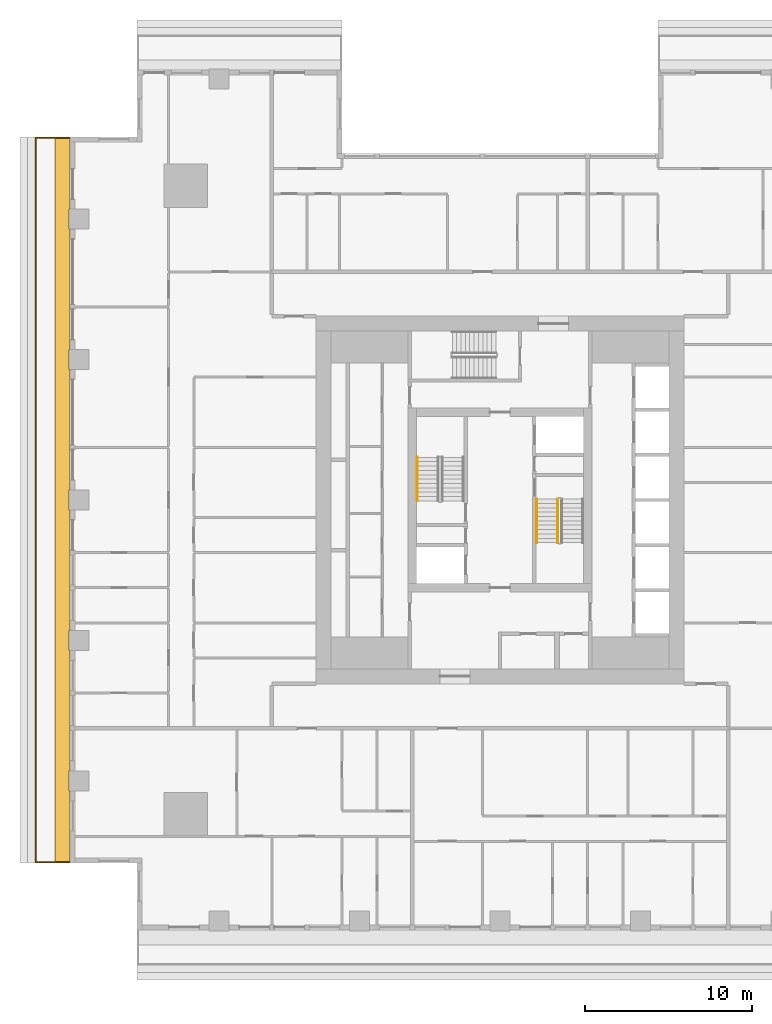
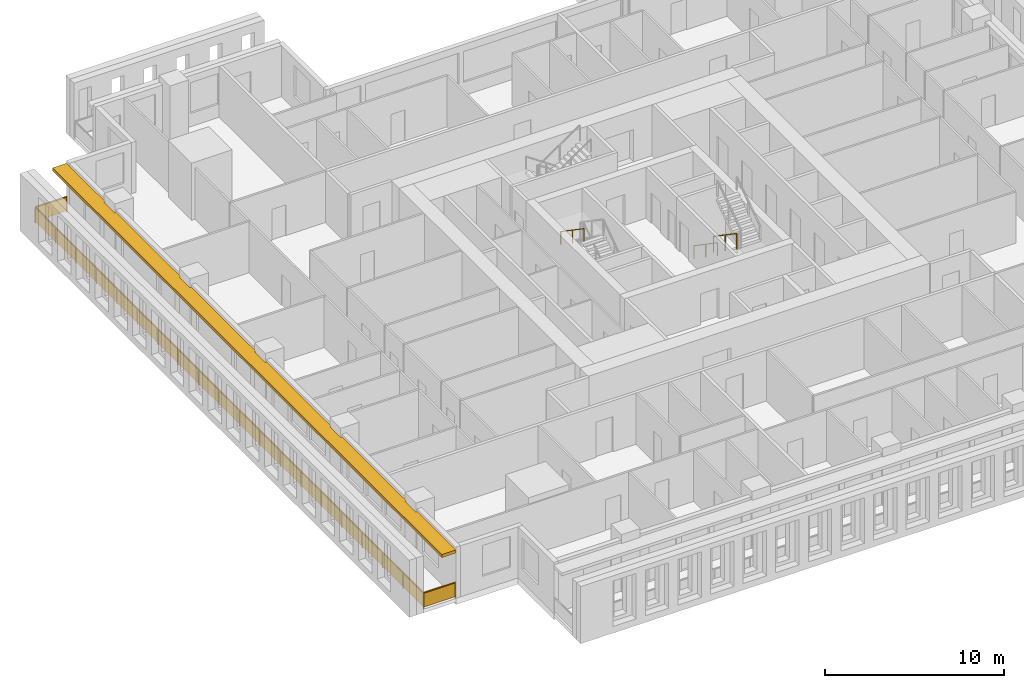
# One storey, part 11 of 15: 4 railings, 1 shading device.
"""IFC4 building model written with IfcOpenShell, lengths in metres."""

from ifc_helpers import new_model, si_unit, direction, frame, origin, origin_2d, place, context, subcontext, project, spatial, polyline, rectangle, outline, extrude, material, layer, layer_set, type_object, element, save


model = new_model("IFC4")

# Units and contexts
model_context = context("Model", 3, precision=1e-05, world=origin(), true_north=direction((0.0, 1.0)))
body_context = subcontext(model_context, "Body", "Model", "MODEL_VIEW")
ifc_project = project(units=[si_unit("LENGTHUNIT", "METRE"), si_unit("AREAUNIT", "SQUARE_METRE"), si_unit("VOLUMEUNIT", "CUBIC_METRE"), si_unit("PLANEANGLEUNIT", "RADIAN"), si_unit("MASSUNIT", "GRAM", prefix="KILO")], contexts=[model_context])

# Site, building, storey
site_placement = place(None, origin())
site = spatial("IfcSite", under=ifc_project, at=site_placement, CompositionType="ELEMENT")
building_placement = place(site_placement, origin())
building = spatial("IfcBuilding", under=site, at=building_placement, Name="Khepri Terraces", CompositionType="ELEMENT")
storey_placement = place(building_placement, frame((0.0, 0.0, 161.10009765625)))
storey = spatial("IfcBuildingStorey", under=building, at=storey_placement, Name="L38", CompositionType="ELEMENT", Elevation=161.10009765625)

# Railings
ifc_material_1 = material(Name="Stainless steel grade 316", Category="steel")
railing_type_1 = type_object("IfcRailingType", Name="GRD-BAL-1100", PredefinedType="GUARDRAIL", material=ifc_material_1)
railing_1_placement = place(storey_placement, frame((-25.719970703125, 21.669921875, 0.0)))
element("IfcRailing", 1, at=railing_1_placement, inside=storey, type_object=railing_type_1, Name="Balcony guard L38 W", PredefinedType="GUARDRAIL", context=body_context, shape_type="SweptSolid", body=[
    extrude(rectangle(XDim=0.050048828125, YDim=0.06005859375, at=origin_2d()), frame((0.0, 0.0, 1.070068359375), z_axis=(-1.0, 0.0, 0.0), x_axis=(0.0, -1.0, 0.0)), (0.0, 0.0, 1.0), 2.050048828125),
    extrude(rectangle(XDim=2.0, YDim=0.011962890625, at=origin_2d()), frame((-1.02490234375, 0.0, 0.10009765625), z_axis=(0.0, 0.0, 1.0), x_axis=(-1.0, 0.0, 0.0)), (0.0, 0.0, 1.0), 0.93994140625),
    extrude(rectangle(XDim=0.050048828125, YDim=0.06005859375, at=origin_2d()), frame((-2.050048828125, 0.0, 1.070068359375), z_axis=(0.0, -1.0, 0.0), x_axis=(1.0, 0.0, 0.0)), (0.0, 0.0, 1.0), 43.33984375),
    extrude(rectangle(XDim=2.23095703125, YDim=0.011962890625, at=origin_2d()), frame((-2.050048828125, -1.140625, 0.10009765625), z_axis=(0.0, 0.0, 1.0), x_axis=(0.0, -1.0, 0.0)), (0.0, 0.0, 1.0), 0.93994140625),
    extrude(rectangle(XDim=2.23095703125, YDim=0.011962890625, at=origin_2d()), frame((-2.050048828125, -3.421630859375, 0.10009765625), z_axis=(0.0, 0.0, 1.0), x_axis=(0.0, -1.0, 0.0)), (0.0, 0.0, 1.0), 0.93994140625),
    extrude(rectangle(XDim=2.23095703125, YDim=0.011962890625, at=origin_2d()), frame((-2.050048828125, -5.70263671875, 0.10009765625), z_axis=(0.0, 0.0, 1.0), x_axis=(0.0, -1.0, 0.0)), (0.0, 0.0, 1.0), 0.93994140625),
    extrude(rectangle(XDim=2.23095703125, YDim=0.011962890625, at=origin_2d()), frame((-2.050048828125, -7.983642578125, 0.10009765625), z_axis=(0.0, 0.0, 1.0), x_axis=(0.0, -1.0, 0.0)), (0.0, 0.0, 1.0), 0.93994140625),
    extrude(rectangle(XDim=2.23095703125, YDim=0.011962890625, at=origin_2d()), frame((-2.050048828125, -10.2646484375, 0.10009765625), z_axis=(0.0, 0.0, 1.0), x_axis=(0.0, -1.0, 0.0)), (0.0, 0.0, 1.0), 0.93994140625),
    extrude(rectangle(XDim=2.23095703125, YDim=0.011962890625, at=origin_2d()), frame((-2.050048828125, -12.545654296875, 0.10009765625), z_axis=(0.0, 0.0, 1.0), x_axis=(0.0, -1.0, 0.0)), (0.0, 0.0, 1.0), 0.93994140625),
    extrude(rectangle(XDim=2.23095703125, YDim=0.011962890625, at=origin_2d()), frame((-2.050048828125, -14.826904296875, 0.10009765625), z_axis=(0.0, 0.0, 1.0), x_axis=(0.0, -1.0, 0.0)), (0.0, 0.0, 1.0), 0.93994140625),
    extrude(rectangle(XDim=2.23095703125, YDim=0.011962890625, at=origin_2d()), frame((-2.050048828125, -17.10791015625, 0.10009765625), z_axis=(0.0, 0.0, 1.0), x_axis=(0.0, -1.0, 0.0)), (0.0, 0.0, 1.0), 0.93994140625),
    extrude(rectangle(XDim=2.23095703125, YDim=0.011962890625, at=origin_2d()), frame((-2.050048828125, -19.388916015625, 0.10009765625), z_axis=(0.0, 0.0, 1.0), x_axis=(0.0, -1.0, 0.0)), (0.0, 0.0, 1.0), 0.93994140625),
    extrude(rectangle(XDim=2.23095703125, YDim=0.011962890625, at=origin_2d()), frame((-2.050048828125, -21.669921875, 0.10009765625), z_axis=(0.0, 0.0, 1.0), x_axis=(0.0, -1.0, 0.0)), (0.0, 0.0, 1.0), 0.93994140625),
    extrude(rectangle(XDim=2.23095703125, YDim=0.011962890625, at=origin_2d()), frame((-2.050048828125, -23.950927734375, 0.10009765625), z_axis=(0.0, 0.0, 1.0), x_axis=(0.0, -1.0, 0.0)), (0.0, 0.0, 1.0), 0.93994140625),
    extrude(rectangle(XDim=2.23095703125, YDim=0.011962890625, at=origin_2d()), frame((-2.050048828125, -26.23193359375, 0.10009765625), z_axis=(0.0, 0.0, 1.0), x_axis=(0.0, -1.0, 0.0)), (0.0, 0.0, 1.0), 0.93994140625),
    extrude(rectangle(XDim=2.23095703125, YDim=0.011962890625, at=origin_2d()), frame((-2.050048828125, -28.512939453125, 0.10009765625), z_axis=(0.0, 0.0, 1.0), x_axis=(0.0, -1.0, 0.0)), (0.0, 0.0, 1.0), 0.93994140625),
    extrude(rectangle(XDim=2.23095703125, YDim=0.011962890625, at=origin_2d()), frame((-2.050048828125, -30.794189453125, 0.10009765625), z_axis=(0.0, 0.0, 1.0), x_axis=(0.0, -1.0, 0.0)), (0.0, 0.0, 1.0), 0.93994140625),
    extrude(rectangle(XDim=2.23095703125, YDim=0.011962890625, at=origin_2d()), frame((-2.050048828125, -33.0751953125, 0.10009765625), z_axis=(0.0, 0.0, 1.0), x_axis=(0.0, -1.0, 0.0)), (0.0, 0.0, 1.0), 0.93994140625),
    extrude(rectangle(XDim=2.23095703125, YDim=0.011962890625, at=origin_2d()), frame((-2.050048828125, -35.356201171875, 0.10009765625), z_axis=(0.0, 0.0, 1.0), x_axis=(0.0, -1.0, 0.0)), (0.0, 0.0, 1.0), 0.93994140625),
    extrude(rectangle(XDim=2.23095703125, YDim=0.011962890625, at=origin_2d()), frame((-2.050048828125, -37.63720703125, 0.10009765625), z_axis=(0.0, 0.0, 1.0), x_axis=(0.0, -1.0, 0.0)), (0.0, 0.0, 1.0), 0.93994140625),
    extrude(rectangle(XDim=2.23095703125, YDim=0.011962890625, at=origin_2d()), frame((-2.050048828125, -39.918212890625, 0.10009765625), z_axis=(0.0, 0.0, 1.0), x_axis=(0.0, -1.0, 0.0)), (0.0, 0.0, 1.0), 0.93994140625),
    extrude(rectangle(XDim=2.23095703125, YDim=0.011962890625, at=origin_2d()), frame((-2.050048828125, -42.19921875, 0.10009765625), z_axis=(0.0, 0.0, 1.0), x_axis=(0.0, -1.0, 0.0)), (0.0, 0.0, 1.0), 0.93994140625),
    extrude(rectangle(XDim=0.050048828125, YDim=0.06005859375, at=origin_2d()), frame((-2.050048828125, -43.33984375, 1.070068359375), z_axis=(1.0, 0.0, 0.0), x_axis=(0.0, 1.0, 0.0)), (0.0, 0.0, 1.0), 2.050048828125),
    extrude(rectangle(XDim=2.0, YDim=0.011962890625, at=origin_2d()), frame((-1.02490234375, -43.33984375, 0.10009765625), z_axis=(0.0, 0.0, 1.0), x_axis=(1.0, 0.0, 0.0)), (0.0, 0.0, 1.0), 0.93994140625),
    extrude(rectangle(XDim=0.050048828125, YDim=0.050048828125, at=origin_2d()), origin(), (0.0, 0.0, 1.0), 1.0400390625),
    extrude(rectangle(XDim=0.050048828125, YDim=0.050048828125, at=origin_2d()), frame((-2.050048828125, 0.0, 0.0)), (0.0, 0.0, 1.0), 1.0400390625),
    extrude(rectangle(XDim=0.050048828125, YDim=0.050048828125, at=origin_2d()), frame((-2.050048828125, -2.281005859375, 0.0)), (0.0, 0.0, 1.0), 1.0400390625),
    extrude(rectangle(XDim=0.050048828125, YDim=0.050048828125, at=origin_2d()), frame((-2.050048828125, -4.56201171875, 0.0)), (0.0, 0.0, 1.0), 1.0400390625),
    extrude(rectangle(XDim=0.050048828125, YDim=0.050048828125, at=origin_2d()), frame((-2.050048828125, -6.843017578125, 0.0)), (0.0, 0.0, 1.0), 1.0400390625),
    extrude(rectangle(XDim=0.050048828125, YDim=0.050048828125, at=origin_2d()), frame((-2.050048828125, -9.124267578125, 0.0)), (0.0, 0.0, 1.0), 1.0400390625),
    extrude(rectangle(XDim=0.050048828125, YDim=0.050048828125, at=origin_2d()), frame((-2.050048828125, -11.4052734375, 0.0)), (0.0, 0.0, 1.0), 1.0400390625),
    extrude(rectangle(XDim=0.050048828125, YDim=0.050048828125, at=origin_2d()), frame((-2.050048828125, -13.686279296875, 0.0)), (0.0, 0.0, 1.0), 1.0400390625),
    extrude(rectangle(XDim=0.050048828125, YDim=0.050048828125, at=origin_2d()), frame((-2.050048828125, -15.96728515625, 0.0)), (0.0, 0.0, 1.0), 1.0400390625),
    extrude(rectangle(XDim=0.050048828125, YDim=0.050048828125, at=origin_2d()), frame((-2.050048828125, -18.248291015625, 0.0)), (0.0, 0.0, 1.0), 1.0400390625),
    extrude(rectangle(XDim=0.050048828125, YDim=0.050048828125, at=origin_2d()), frame((-2.050048828125, -20.529296875, 0.0)), (0.0, 0.0, 1.0), 1.0400390625),
    extrude(rectangle(XDim=0.050048828125, YDim=0.050048828125, at=origin_2d()), frame((-2.050048828125, -22.810546875, 0.0)), (0.0, 0.0, 1.0), 1.0400390625),
    extrude(rectangle(XDim=0.050048828125, YDim=0.050048828125, at=origin_2d()), frame((-2.050048828125, -25.091552734375, 0.0)), (0.0, 0.0, 1.0), 1.0400390625),
    extrude(rectangle(XDim=0.050048828125, YDim=0.050048828125, at=origin_2d()), frame((-2.050048828125, -27.37255859375, 0.0)), (0.0, 0.0, 1.0), 1.0400390625),
    extrude(rectangle(XDim=0.050048828125, YDim=0.050048828125, at=origin_2d()), frame((-2.050048828125, -29.653564453125, 0.0)), (0.0, 0.0, 1.0), 1.0400390625),
    extrude(rectangle(XDim=0.050048828125, YDim=0.050048828125, at=origin_2d()), frame((-2.050048828125, -31.9345703125, 0.0)), (0.0, 0.0, 1.0), 1.0400390625),
    extrude(rectangle(XDim=0.050048828125, YDim=0.050048828125, at=origin_2d()), frame((-2.050048828125, -34.215576171875, 0.0)), (0.0, 0.0, 1.0), 1.0400390625),
    extrude(rectangle(XDim=0.050048828125, YDim=0.050048828125, at=origin_2d()), frame((-2.050048828125, -36.496826171875, 0.0)), (0.0, 0.0, 1.0), 1.0400390625),
    extrude(rectangle(XDim=0.050048828125, YDim=0.050048828125, at=origin_2d()), frame((-2.050048828125, -38.77783203125, 0.0)), (0.0, 0.0, 1.0), 1.0400390625),
    extrude(rectangle(XDim=0.050048828125, YDim=0.050048828125, at=origin_2d()), frame((-2.050048828125, -41.058837890625, 0.0)), (0.0, 0.0, 1.0), 1.0400390625),
    extrude(rectangle(XDim=0.050048828125, YDim=0.050048828125, at=origin_2d()), frame((-2.050048828125, -43.33984375, 0.0)), (0.0, 0.0, 1.0), 1.0400390625),
    extrude(rectangle(XDim=0.050048828125, YDim=0.050048828125, at=origin_2d()), frame((0.0, -43.33984375, 0.0)), (0.0, 0.0, 1.0), 1.0400390625),
])
ifc_material_2 = material(Name="Stainless steel 316", Category="steel")
railing_type_2 = type_object("IfcRailingType", Name="RL-CORE-GUARD", PredefinedType="GUARDRAIL", material=ifc_material_2)
railing_2_placement = place(storey_placement, frame((3.449951171875, 0.050048828125, 0.17724609375)))
element("IfcRailing", 2, at=railing_2_placement, inside=storey, type_object=railing_type_2, Name="L38 ST-2 stair guard 1", PredefinedType="GUARDRAIL", context=body_context, shape_type="SweptSolid", body=[
    extrude(rectangle(XDim=0.050048828125, YDim=0.06005859375, at=origin_2d()), frame((0.0, 0.0, 1.070068359375), z_axis=(0.0, -0.826240473404, 0.563317565952), x_axis=(1.0, 0.0, 0.0)), (0.0, 0.0, 1.0), 3.14697265625),
    extrude(rectangle(XDim=0.050048828125, YDim=0.050048828125, at=origin_2d()), origin(), (0.0, 0.0, 1.0), 1.0400390625),
    extrude(rectangle(XDim=0.050048828125, YDim=0.050048828125, at=origin_2d()), frame((0.0, -1.300048828125, 0.88623046875)), (0.0, 0.0, 1.0), 1.0400390625),
    extrude(rectangle(XDim=0.050048828125, YDim=0.050048828125, at=origin_2d()), frame((0.0, -2.60009765625, 1.772705078125)), (0.0, 0.0, 1.0), 1.0400390625),
])
railing_type_3 = type_object("IfcRailingType", Name="RL-CORE-HANDRAIL", PredefinedType="HANDRAIL", material=ifc_material_2)
for number, where, name in (
    (3, (-4.949951171875, 2.550048828125, 2.127197265625), "L38 ST-1 stair handrail 2"),
    (4, (2.199951171875, 0.050048828125, 0.17724609375), "L38 ST-2 stair handrail 1"),
):
    element("IfcRailing", number, at=place(storey_placement, frame(where)), inside=storey, type_object=railing_type_3, Name=name, PredefinedType="HANDRAIL", context=body_context, shape_type="SweptSolid", body=[
        extrude(rectangle(XDim=0.050048828125, YDim=0.050048828125, at=origin_2d()), frame((0.0, 0.0, 0.875), z_axis=(0.0, -0.826240473404, 0.563317565952), x_axis=(1.0, 0.0, 0.0)), (0.0, 0.0, 1.0), 3.14697265625),
        extrude(rectangle(XDim=0.050048828125, YDim=0.050048828125, at=origin_2d()), origin(), (0.0, 0.0, 1.0), 0.849853515625),
        extrude(rectangle(XDim=0.050048828125, YDim=0.050048828125, at=origin_2d()), frame((0.0, -1.300048828125, 0.88623046875)), (0.0, 0.0, 1.0), 0.849853515625),
        extrude(rectangle(XDim=0.050048828125, YDim=0.050048828125, at=origin_2d()), frame((0.0, -2.60009765625, 1.772705078125)), (0.0, 0.0, 1.0), 0.849853515625),
    ])

# Shading device
ifc_material_3 = material(Name="Precast concrete C50/60 warm stone", Category="masonry")
ifc_layer = layer(ifc_material_3, 0.199951171875, Name="Precast concrete C50/60 warm stone", Category="masonry")
ifc_layer_set = layer_set([ifc_layer], Name="Precast concrete C50/60 warm stone")
shading_device_type = type_object("IfcShadingDeviceType", Name="SSH-BAND-STONE-200", PredefinedType="USERDEFINED", material=ifc_layer_set)
shading_device_placement = place(storey_placement, frame((0.0, 0.0, 3.099853515625)))
element("IfcShadingDevice", 5, at=shading_device_placement, inside=storey, type_object=shading_device_type, Name="Sunshade band L38 W", ObjectType="SUNSHADE", PredefinedType="USERDEFINED", context=body_context, shape_type="SweptSolid", body=[
    extrude(outline(polyline([(-25.719970703125, 17.39990234375), (-25.719970703125, 21.719970703125), (-26.6201171875, 21.719970703125), (-26.6201171875, -21.719970703125), (-25.719970703125, -21.719970703125), (-25.719970703125, -17.39990234375), (-25.800048828125, -17.39990234375), (-25.800048828125, -16.199951171875), (-25.719970703125, -16.199951171875), (-25.719970703125, -9.0), (-25.800048828125, -9.0), (-25.800048828125, -7.800048828125), (-25.719970703125, -7.800048828125), (-25.719970703125, -0.60009765625), (-25.800048828125, -0.60009765625), (-25.800048828125, 0.60009765625), (-25.719970703125, 0.60009765625), (-25.719970703125, 7.800048828125), (-25.800048828125, 7.800048828125), (-25.800048828125, 9.0), (-25.719970703125, 9.0), (-25.719970703125, 16.199951171875), (-25.800048828125, 16.199951171875), (-25.800048828125, 17.39990234375), (-25.719970703125, 17.39990234375)])), origin(), (0.0, 0.0, 1.0), 0.199951171875),
])

save(model, "model.ifc")
